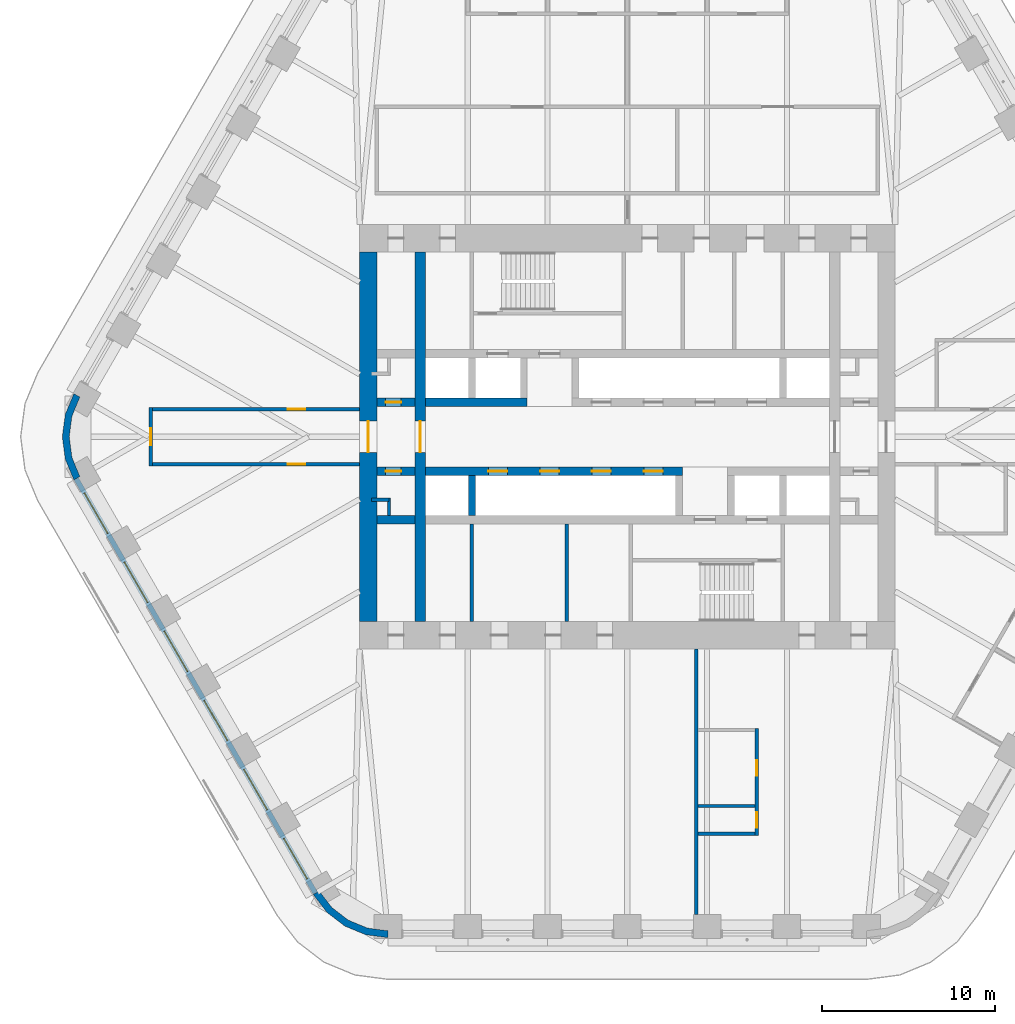
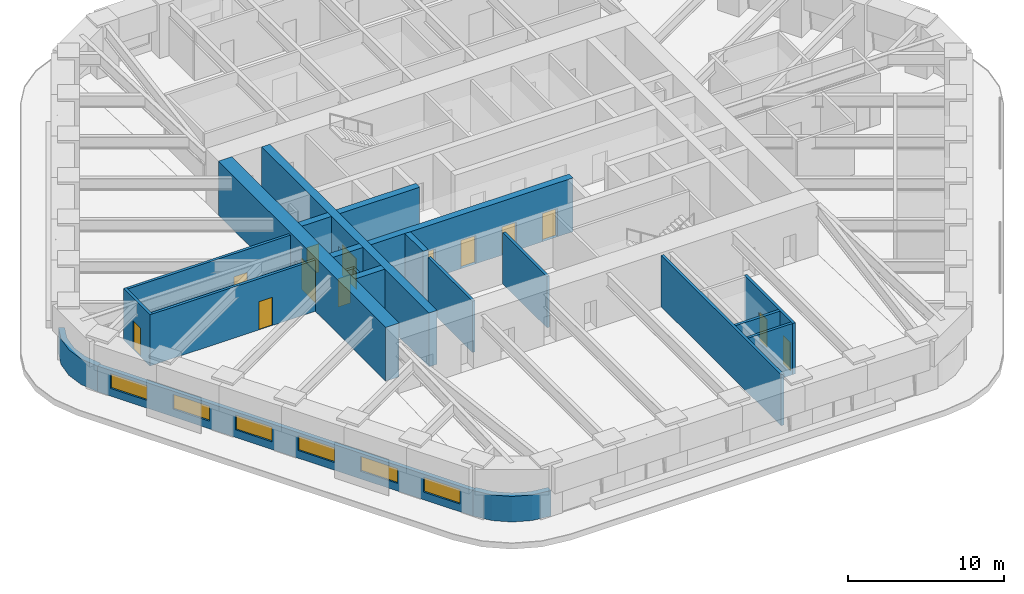
# One storey, part 14 of 20: 22 walls, 13 doors, 6 windows, 19 openings.
"""IFC4 building model written with IfcOpenShell, lengths in metres."""

from ifc_helpers import new_model, si_unit, direction, frame, frame_2d, origin, place, context, subcontext, project, spatial, polyline, rectangle, outline, extrude, material, layer, layer_set, type_object, element, fill, save


model = new_model("IFC4")

# Units and contexts
model_context = context("Model", 3, precision=1e-05, world=origin(), true_north=direction((0.0, 1.0)))
body_context = subcontext(model_context, "Body", "Model", "MODEL_VIEW")
ifc_project = project(units=[si_unit("LENGTHUNIT", "METRE"), si_unit("AREAUNIT", "SQUARE_METRE"), si_unit("VOLUMEUNIT", "CUBIC_METRE"), si_unit("PLANEANGLEUNIT", "RADIAN"), si_unit("MASSUNIT", "GRAM", prefix="KILO")], contexts=[model_context])

# Site, building, storey
site_placement = place(None, origin())
site = spatial("IfcSite", under=ifc_project, at=site_placement, CompositionType="ELEMENT")
building_placement = place(site_placement, origin())
building = spatial("IfcBuilding", under=site, at=building_placement, Name="Tarfa Lantern Tower", CompositionType="ELEMENT")
storey_placement = place(building_placement, frame((0.0, 0.0, 219.699951171875)))
storey = spatial("IfcBuildingStorey", under=building, at=storey_placement, Name="L49", CompositionType="ELEMENT", Elevation=219.699951171875)

# Wall, openings, windows
ifc_material_1 = material(Name="Limestone cladding on blockwork", Category="masonry")
ifc_layer_1 = layer(ifc_material_1, 0.300048828125)
ifc_layer_set_1 = layer_set([ifc_layer_1], Name="EW1 STONE-CLAD WALL 300")
wall_type_1 = type_object("IfcWallType", Name="EW1 STONE-CLAD WALL 300", PredefinedType="SOLIDWALL", material=ifc_layer_set_1)
wall_1_placement = place(storey_placement, frame((-31.9130859375, -2.425048828125, 0.0), z_axis=(0.0, 0.0, 1.0), x_axis=(0.500001051461, -0.866024796723, 0.0)))
wall_1 = element("IfcWall", 1, at=wall_1_placement, inside=storey, type_object=wall_type_1, Name="Stone wall SW", PredefinedType="SOLIDWALL", context=body_context, shape_type="SweptSolid", body=[
    extrude(rectangle(XDim=27.712890625, YDim=0.300048828125, at=frame_2d((13.8564453125, 0.0))), origin(), (0.0, 0.0, 1.0), 2.0),
])
opening_1_placement = place(wall_1_placement, frame((0.95947265625, 0.0, 0.60009765625)))
opening_1 = element("IfcOpeningElement", 2, at=opening_1_placement, cuts=wall_1, Name="Opening W13", PredefinedType="OPENING", context=body_context, shape_type="SweptSolid", body=[
    extrude(rectangle(XDim=2.699951171875, YDim=1.14990234375, at=frame_2d((1.35009765625, 0.574951171875))), frame((0.0, 0.159912109375, 0.0), z_axis=(0.0, -1.0, 0.0), x_axis=(1.0, 0.0, 0.0)), (0.0, 0.0, 1.0), 0.320068359375),
])
opening_2_placement = place(wall_1_placement, frame((5.578125, 0.0, 0.60009765625)))
opening_2 = element("IfcOpeningElement", 3, at=opening_2_placement, cuts=wall_1, Name="Opening W13", PredefinedType="OPENING", context=body_context, shape_type="SweptSolid", body=[
    extrude(rectangle(XDim=2.699951171875, YDim=1.14990234375, at=frame_2d((1.35009765625, 0.574951171875))), frame((0.0, 0.159912109375, 0.0), z_axis=(0.0, -1.0, 0.0), x_axis=(1.0, 0.0, 0.0)), (0.0, 0.0, 1.0), 0.320068359375),
])
opening_3_placement = place(wall_1_placement, frame((10.197021484375, 0.0, 0.60009765625)))
opening_3 = element("IfcOpeningElement", 4, at=opening_3_placement, cuts=wall_1, Name="Opening W13", PredefinedType="OPENING", context=body_context, shape_type="SweptSolid", body=[
    extrude(rectangle(XDim=2.699951171875, YDim=1.14990234375, at=frame_2d((1.35009765625, 0.574951171875))), frame((0.0, 0.159912109375, 0.0), z_axis=(0.0, -1.0, 0.0), x_axis=(1.0, 0.0, 0.0)), (0.0, 0.0, 1.0), 0.320068359375),
])
opening_4_placement = place(wall_1_placement, frame((14.81591796875, 0.0, 0.60009765625)))
opening_4 = element("IfcOpeningElement", 5, at=opening_4_placement, cuts=wall_1, Name="Opening W13", PredefinedType="OPENING", context=body_context, shape_type="SweptSolid", body=[
    extrude(rectangle(XDim=2.699951171875, YDim=1.14990234375, at=frame_2d((1.35009765625, 0.574951171875))), frame((0.0, 0.159912109375, 0.0), z_axis=(0.0, -1.0, 0.0), x_axis=(1.0, 0.0, 0.0)), (0.0, 0.0, 1.0), 0.320068359375),
])
opening_5_placement = place(wall_1_placement, frame((19.4345703125, 0.0, 0.60009765625)))
opening_5 = element("IfcOpeningElement", 6, at=opening_5_placement, cuts=wall_1, Name="Opening W13", PredefinedType="OPENING", context=body_context, shape_type="SweptSolid", body=[
    extrude(rectangle(XDim=2.699951171875, YDim=1.14990234375, at=frame_2d((1.35009765625, 0.574951171875))), frame((0.0, 0.159912109375, 0.0), z_axis=(0.0, -1.0, 0.0), x_axis=(1.0, 0.0, 0.0)), (0.0, 0.0, 1.0), 0.320068359375),
])
opening_6_placement = place(wall_1_placement, frame((24.053466796875, 0.0, 0.60009765625)))
opening_6 = element("IfcOpeningElement", 7, at=opening_6_placement, cuts=wall_1, Name="Opening W13", PredefinedType="OPENING", context=body_context, shape_type="SweptSolid", body=[
    extrude(rectangle(XDim=2.699951171875, YDim=1.14990234375, at=frame_2d((1.35009765625, 0.574951171875))), frame((0.0, 0.159912109375, 0.0), z_axis=(0.0, -1.0, 0.0), x_axis=(1.0, 0.0, 0.0)), (0.0, 0.0, 1.0), 0.320068359375),
])
ifc_material_2 = material(Name="Aluminium frame, double glazed", Category="aluminium")
window_type = type_object("IfcWindowType", Name="W13 FULL-HEIGHT GLAZING 2700x1150", PartitioningType="SINGLE_PANEL", PredefinedType="WINDOW", material=ifc_material_2)
window_1_placement = place(opening_1_placement, origin())
window_1 = element("IfcWindow", 8, at=window_1_placement, inside=storey, type_object=window_type, Name="Window SW 1", OverallHeight=1.14990234375, OverallWidth=2.699951171875, PartitioningType="SINGLE_PANEL", PredefinedType="WINDOW", context=body_context, shape_type="SweptSolid", body=[
    extrude(rectangle(XDim=2.699951171875, YDim=1.14990234375, at=frame_2d((1.35009765625, 0.574951171875))), frame((0.0, 0.030029296875, 0.0), z_axis=(0.0, -1.0, 0.0), x_axis=(1.0, 0.0, 0.0)), (0.0, 0.0, 1.0), 0.06005859375),
])
fill(opening_1, window_1)
window_2_placement = place(opening_2_placement, origin())
window_2 = element("IfcWindow", 9, at=window_2_placement, inside=storey, type_object=window_type, Name="Window SW 2", OverallHeight=1.14990234375, OverallWidth=2.699951171875, PartitioningType="SINGLE_PANEL", PredefinedType="WINDOW", context=body_context, shape_type="SweptSolid", body=[
    extrude(rectangle(XDim=2.699951171875, YDim=1.14990234375, at=frame_2d((1.35009765625, 0.574951171875))), frame((0.0, 0.030029296875, 0.0), z_axis=(0.0, -1.0, 0.0), x_axis=(1.0, 0.0, 0.0)), (0.0, 0.0, 1.0), 0.06005859375),
])
fill(opening_2, window_2)
window_3_placement = place(opening_3_placement, origin())
window_3 = element("IfcWindow", 10, at=window_3_placement, inside=storey, type_object=window_type, Name="Window SW 3", OverallHeight=1.14990234375, OverallWidth=2.699951171875, PartitioningType="SINGLE_PANEL", PredefinedType="WINDOW", context=body_context, shape_type="SweptSolid", body=[
    extrude(rectangle(XDim=2.699951171875, YDim=1.14990234375, at=frame_2d((1.35009765625, 0.574951171875))), frame((0.0, 0.030029296875, 0.0), z_axis=(0.0, -1.0, 0.0), x_axis=(1.0, 0.0, 0.0)), (0.0, 0.0, 1.0), 0.06005859375),
])
fill(opening_3, window_3)
window_4_placement = place(opening_4_placement, origin())
window_4 = element("IfcWindow", 11, at=window_4_placement, inside=storey, type_object=window_type, Name="Window SW 4", OverallHeight=1.14990234375, OverallWidth=2.699951171875, PartitioningType="SINGLE_PANEL", PredefinedType="WINDOW", context=body_context, shape_type="SweptSolid", body=[
    extrude(rectangle(XDim=2.699951171875, YDim=1.14990234375, at=frame_2d((1.35009765625, 0.574951171875))), frame((0.0, 0.030029296875, 0.0), z_axis=(0.0, -1.0, 0.0), x_axis=(1.0, 0.0, 0.0)), (0.0, 0.0, 1.0), 0.06005859375),
])
fill(opening_4, window_4)
window_5_placement = place(opening_5_placement, origin())
window_5 = element("IfcWindow", 12, at=window_5_placement, inside=storey, type_object=window_type, Name="Window SW 5", OverallHeight=1.14990234375, OverallWidth=2.699951171875, PartitioningType="SINGLE_PANEL", PredefinedType="WINDOW", context=body_context, shape_type="SweptSolid", body=[
    extrude(rectangle(XDim=2.699951171875, YDim=1.14990234375, at=frame_2d((1.35009765625, 0.574951171875))), frame((0.0, 0.030029296875, 0.0), z_axis=(0.0, -1.0, 0.0), x_axis=(1.0, 0.0, 0.0)), (0.0, 0.0, 1.0), 0.06005859375),
])
fill(opening_5, window_5)
window_6_placement = place(opening_6_placement, origin())
window_6 = element("IfcWindow", 13, at=window_6_placement, inside=storey, type_object=window_type, Name="Window SW 6", OverallHeight=1.14990234375, OverallWidth=2.699951171875, PartitioningType="SINGLE_PANEL", PredefinedType="WINDOW", context=body_context, shape_type="SweptSolid", body=[
    extrude(rectangle(XDim=2.699951171875, YDim=1.14990234375, at=frame_2d((1.35009765625, 0.574951171875))), frame((0.0, 0.030029296875, 0.0), z_axis=(0.0, -1.0, 0.0), x_axis=(1.0, 0.0, 0.0)), (0.0, 0.0, 1.0), 0.06005859375),
])
fill(opening_6, window_6)

# Walls
ifc_layer_2 = layer(ifc_material_1, 0.39990234375)
ifc_layer_set_2 = layer_set([ifc_layer_2], Name="EW2 CURVED STONE CORNER 400")
wall_type_2 = type_object("IfcWallType", Name="EW2 CURVED STONE CORNER 400", PredefinedType="SOLIDWALL", material=ifc_layer_set_2)
wall_2_placement = place(storey_placement, origin())
element("IfcWall", 14, at=wall_2_placement, inside=storey, type_object=wall_type_2, Name="Stone corner NW-SW", PredefinedType="SOLIDWALL", context=body_context, shape_type="SweptSolid", body=[
    extrude(outline(polyline([(-32.04296875, 2.5), (-32.54248046875, 1.294189453125), (-32.712890625, 0.0), (-32.54248046875, -1.294189453125), (-32.04296875, -2.5), (-31.696533203125, -2.300048828125), (-32.156005859375, -1.190673828125), (-32.312744140625, 0.0), (-32.156005859375, 1.190673828125), (-31.696533203125, 2.300048828125), (-32.04296875, 2.5)])), origin(), (0.0, 0.0, 1.0), 2.0),
])
wall_3_placement = place(storey_placement, origin())
element("IfcWall", 15, at=wall_3_placement, inside=storey, type_object=wall_type_2, Name="Stone corner SW-S", PredefinedType="SOLIDWALL", context=body_context, shape_type="SweptSolid", body=[
    extrude(outline(polyline([(-18.1865234375, -26.5), (-17.391845703125, -27.53564453125), (-16.3564453125, -28.330078125), (-15.150390625, -28.82958984375), (-13.8564453125, -29.0), (-13.8564453125, -28.60009765625), (-15.046875, -28.443359375), (-16.156494140625, -27.983642578125), (-17.109130859375, -27.252685546875), (-17.840087890625, -26.300048828125), (-18.1865234375, -26.5)])), origin(), (0.0, 0.0, 1.0), 2.0),
])
ifc_material_3 = material(Name="Concrete blockwork", Category="masonry")
ifc_layer_3 = layer(ifc_material_3, 0.199951171875)
ifc_layer_set_3 = layer_set([ifc_layer_3], Name="IW1 BLOCKWORK PARTITION 200 EI 120")
wall_type_3 = type_object("IfcWallType", Name="IW1 BLOCKWORK PARTITION 200 EI 120", PredefinedType="PARTITIONING", material=ifc_layer_set_3)
for number, where, z_axis, x_axis, name in (
    (16, (-9.0, -5.050048828125, 0.0), (0.0, 0.0, 1.0), (0.0, -1.0, 0.0), "Core partition"),
    (17, (-3.5, -5.050048828125, 0.0), (0.0, 0.0, 1.0), (0.0, -1.0, 0.0), "Core partition"),
):
    element("IfcWall", number, at=place(storey_placement, frame(where, z_axis=z_axis, x_axis=x_axis)), inside=storey, type_object=wall_type_3, Name=name, PredefinedType="PARTITIONING", context=body_context, shape_type="SweptSolid", body=[
        extrude(rectangle(XDim=5.64990234375, YDim=0.199951171875, at=frame_2d((2.824951171875, 0.0))), origin(), (0.0, 0.0, 1.0), 4.0),
    ])
for number, where, z_axis, x_axis, name in (
    (18, (-13.800048828125, -3.64990234375, 0.0), (0.0, 0.0, 1.0), (-1.0, 0.0, 0.0), "Core partition"),
    (19, (-13.800048828125, -3.550048828125, 0.0), (0.0, 0.0, 1.0), (0.0, -1.0, 0.0), "Core partition"),
):
    element("IfcWall", number, at=place(storey_placement, frame(where, z_axis=z_axis, x_axis=x_axis)), inside=storey, type_object=wall_type_3, Name=name, PredefinedType="PARTITIONING", context=body_context, shape_type="SweptSolid", body=[
        extrude(rectangle(XDim=1.0, YDim=0.199951171875, at=frame_2d((0.5, 0.0))), origin(), (0.0, 0.0, 1.0), 4.0),
    ])

# Wall, opening, door
ifc_material_4 = material(Name="Gypsum board on steel studs", Category="steel")
ifc_layer_4 = layer(ifc_material_4, 0.2099609375)
ifc_layer_set_4 = layer_set([ifc_layer_4], Name="IW2 ACOUSTIC PARTITION 200")
wall_type_4 = type_object("IfcWallType", Name="IW2 ACOUSTIC PARTITION 200", PredefinedType="PARTITIONING", material=ifc_layer_set_4)
wall_4_placement = place(storey_placement, frame((-15.5, 1.60009765625, 0.0), z_axis=(0.0, 0.0, 1.0), x_axis=(-1.0, 0.0, 0.0)))
wall_4 = element("IfcWall", 20, at=wall_4_placement, inside=storey, type_object=wall_type_4, Name="Partition", PredefinedType="PARTITIONING", context=body_context, shape_type="SweptSolid", body=[
    extrude(rectangle(XDim=12.199951171875, YDim=0.199951171875, at=frame_2d((6.10009765625, 0.0))), origin(), (0.0, 0.0, 1.0), 4.0),
])
opening_7_placement = place(wall_4_placement, frame((3.159912109375, 0.0, 0.0)))
opening_7 = element("IfcOpeningElement", 21, at=opening_7_placement, cuts=wall_4, Name="Opening D44", PredefinedType="OPENING", context=body_context, shape_type="SweptSolid", body=[
    extrude(rectangle(XDim=1.0, YDim=2.199951171875, at=frame_2d((0.5, 1.10009765625))), frame((0.0, 0.10986328125, 0.0), z_axis=(0.0, -1.0, 0.0), x_axis=(1.0, 0.0, 0.0)), (0.0, 0.0, 1.0), 0.219970703125),
])
ifc_material_5 = material(Name="Timber door", Category="wood")
door_type_1 = type_object("IfcDoorType", Name="DR1 ROOM DOOR 1000x2200", OperationType="SINGLE_SWING_LEFT", PredefinedType="DOOR", material=ifc_material_5)
door_1_placement = place(opening_7_placement, frame((1.0, 0.0, 0.0), z_axis=(0.0, 0.0, 1.0), x_axis=(-1.0, 0.0, 0.0)))
door_1 = element("IfcDoor", 22, at=door_1_placement, inside=storey, type_object=door_type_1, Name="Corridor door", OperationType="SINGLE_SWING_LEFT", OverallHeight=2.199951171875, OverallWidth=1.0, PredefinedType="DOOR", context=body_context, shape_type="SweptSolid", body=[
    extrude(rectangle(XDim=1.0, YDim=2.199951171875, at=frame_2d((0.5, 1.10009765625))), frame((0.0, 0.02490234375, 0.0), z_axis=(0.0, -1.0, 0.0), x_axis=(1.0, 0.0, 0.0)), (0.0, 0.0, 1.0), 0.050048828125),
])
fill(opening_7, door_1)

wall_5_placement = place(storey_placement, frame((-15.5, -1.60009765625, 0.0), z_axis=(0.0, 0.0, 1.0), x_axis=(-1.0, 0.0, 0.0)))
wall_5 = element("IfcWall", 23, at=wall_5_placement, inside=storey, type_object=wall_type_4, Name="Partition", PredefinedType="PARTITIONING", context=body_context, shape_type="SweptSolid", body=[
    extrude(rectangle(XDim=12.199951171875, YDim=0.199951171875, at=frame_2d((6.10009765625, 0.0))), origin(), (0.0, 0.0, 1.0), 4.0),
])
opening_8_placement = place(wall_5_placement, frame((3.159912109375, 0.0, 0.0)))
opening_8 = element("IfcOpeningElement", 24, at=opening_8_placement, cuts=wall_5, Name="Opening D45", PredefinedType="OPENING", context=body_context, shape_type="SweptSolid", body=[
    extrude(rectangle(XDim=1.0, YDim=2.199951171875, at=frame_2d((0.5, 1.10009765625))), frame((0.0, 0.10986328125, 0.0), z_axis=(0.0, -1.0, 0.0), x_axis=(1.0, 0.0, 0.0)), (0.0, 0.0, 1.0), 0.219970703125),
])
door_2_placement = place(opening_8_placement, origin())
door_2 = element("IfcDoor", 25, at=door_2_placement, inside=storey, type_object=door_type_1, Name="Corridor door", OperationType="SINGLE_SWING_RIGHT", OverallHeight=2.199951171875, OverallWidth=1.0, PredefinedType="DOOR", context=body_context, shape_type="SweptSolid", body=[
    extrude(rectangle(XDim=1.0, YDim=2.199951171875, at=frame_2d((0.5, 1.10009765625))), frame((0.0, 0.02490234375, 0.0), z_axis=(0.0, -1.0, 0.0), x_axis=(1.0, 0.0, 0.0)), (0.0, 0.0, 1.0), 0.050048828125),
])
fill(opening_8, door_2)

wall_6_placement = place(storey_placement, frame((-27.60009765625, -1.699951171875, 0.0), z_axis=(0.0, 0.0, 1.0), x_axis=(0.0, 1.0, 0.0)))
wall_6 = element("IfcWall", 26, at=wall_6_placement, inside=storey, type_object=wall_type_4, Name="Partition", PredefinedType="PARTITIONING", context=body_context, shape_type="SweptSolid", body=[
    extrude(rectangle(XDim=3.39990234375, YDim=0.199951171875, at=frame_2d((1.699951171875, 0.0))), origin(), (0.0, 0.0, 1.0), 4.0),
])
opening_9_placement = place(wall_6_placement, frame((1.199951171875, 0.0, 0.0)))
opening_9 = element("IfcOpeningElement", 27, at=opening_9_placement, cuts=wall_6, Name="Opening D43", PredefinedType="OPENING", context=body_context, shape_type="SweptSolid", body=[
    extrude(rectangle(XDim=1.0, YDim=2.199951171875, at=frame_2d((0.5, 1.10009765625))), frame((0.0, 0.10986328125, 0.0), z_axis=(0.0, -1.0, 0.0), x_axis=(1.0, 0.0, 0.0)), (0.0, 0.0, 1.0), 0.219970703125),
])
door_3_placement = place(opening_9_placement, origin())
door_3 = element("IfcDoor", 28, at=door_3_placement, inside=storey, type_object=door_type_1, Name="Corridor door", OperationType="SINGLE_SWING_RIGHT", OverallHeight=2.199951171875, OverallWidth=1.0, PredefinedType="DOOR", context=body_context, shape_type="SweptSolid", body=[
    extrude(rectangle(XDim=1.0, YDim=2.199951171875, at=frame_2d((0.5, 1.10009765625))), frame((0.0, 0.02490234375, 0.0), z_axis=(0.0, -1.0, 0.0), x_axis=(1.0, 0.0, 0.0)), (0.0, 0.0, 1.0), 0.050048828125),
])
fill(opening_9, door_3)

# Wall
wall_7_placement = place(storey_placement, frame((4.0, -12.300048828125, 0.0), z_axis=(0.0, 0.0, 1.0), x_axis=(0.0, -1.0, 0.0)))
element("IfcWall", 29, at=wall_7_placement, inside=storey, type_object=wall_type_4, Name="Partition", PredefinedType="PARTITIONING", context=body_context, shape_type="SweptSolid", body=[
    extrude(rectangle(XDim=15.349853515625, YDim=0.199951171875, at=frame_2d((7.6748046875, 0.0))), origin(), (0.0, 0.0, 1.0), 4.0),
])

# Wall, openings, doors
wall_8_placement = place(storey_placement, frame((7.5, -16.875, 0.0), z_axis=(0.0, 0.0, 1.0), x_axis=(0.0, -1.0, 0.0)))
wall_8 = element("IfcWall", 30, at=wall_8_placement, inside=storey, type_object=wall_type_4, Name="Partition", PredefinedType="PARTITIONING", context=body_context, shape_type="SweptSolid", body=[
    extrude(rectangle(XDim=6.199951171875, YDim=0.199951171875, at=frame_2d((3.10009765625, 0.0))), origin(), (0.0, 0.0, 1.0), 4.0),
])
opening_10_placement = place(wall_8_placement, frame((1.85009765625, 0.0, 0.0)))
opening_10 = element("IfcOpeningElement", 31, at=opening_10_placement, cuts=wall_8, Name="Opening D38", PredefinedType="OPENING", context=body_context, shape_type="SweptSolid", body=[
    extrude(rectangle(XDim=0.89990234375, YDim=2.199951171875, at=frame_2d((0.449951171875, 1.10009765625))), frame((0.0, 0.10986328125, 0.0), z_axis=(0.0, -1.0, 0.0), x_axis=(1.0, 0.0, 0.0)), (0.0, 0.0, 1.0), 0.219970703125),
])
opening_11_placement = place(wall_8_placement, frame((4.85009765625, 0.0, 0.0)))
opening_11 = element("IfcOpeningElement", 32, at=opening_11_placement, cuts=wall_8, Name="Opening D39", PredefinedType="OPENING", context=body_context, shape_type="SweptSolid", body=[
    extrude(rectangle(XDim=0.89990234375, YDim=2.199951171875, at=frame_2d((0.449951171875, 1.10009765625))), frame((0.0, 0.10986328125, 0.0), z_axis=(0.0, -1.0, 0.0), x_axis=(1.0, 0.0, 0.0)), (0.0, 0.0, 1.0), 0.219970703125),
])
door_type_2 = type_object("IfcDoorType", Name="DR3 ROOM DOOR 900x2200", OperationType="SINGLE_SWING_LEFT", PredefinedType="DOOR", material=ifc_material_5)
door_4_placement = place(opening_10_placement, frame((0.89990234375, 0.0, 0.0), z_axis=(0.0, 0.0, 1.0), x_axis=(-1.0, 0.0, 0.0)))
door_4 = element("IfcDoor", 33, at=door_4_placement, inside=storey, type_object=door_type_2, Name="Meeting room door", OperationType="SINGLE_SWING_LEFT", OverallHeight=2.199951171875, OverallWidth=0.89990234375, PredefinedType="DOOR", context=body_context, shape_type="SweptSolid", body=[
    extrude(rectangle(XDim=0.89990234375, YDim=2.199951171875, at=frame_2d((0.449951171875, 1.10009765625))), frame((0.0, 0.02490234375, 0.0), z_axis=(0.0, -1.0, 0.0), x_axis=(1.0, 0.0, 0.0)), (0.0, 0.0, 1.0), 0.050048828125),
])
fill(opening_10, door_4)
door_5_placement = place(opening_11_placement, frame((0.89990234375, 0.0, 0.0), z_axis=(0.0, 0.0, 1.0), x_axis=(-1.0, 0.0, 0.0)))
door_5 = element("IfcDoor", 34, at=door_5_placement, inside=storey, type_object=door_type_2, Name="Phone booth door", OperationType="SINGLE_SWING_RIGHT", OverallHeight=2.199951171875, OverallWidth=0.89990234375, PredefinedType="DOOR", context=body_context, shape_type="SweptSolid", body=[
    extrude(rectangle(XDim=0.89990234375, YDim=2.199951171875, at=frame_2d((0.449951171875, 1.10009765625))), frame((0.0, 0.02490234375, 0.0), z_axis=(0.0, -1.0, 0.0), x_axis=(1.0, 0.0, 0.0)), (0.0, 0.0, 1.0), 0.050048828125),
])
fill(opening_11, door_5)

# Walls
for number, where, z_axis, x_axis, name in (
    (35, (4.10009765625, -21.375, 0.0), (0.0, 0.0, 1.0), (1.0, 0.0, 0.0), "Partition"),
    (36, (4.10009765625, -22.97509765625, 0.0), (0.0, 0.0, 1.0), (1.0, 0.0, 0.0), "Partition"),
):
    element("IfcWall", number, at=place(storey_placement, frame(where, z_axis=z_axis, x_axis=x_axis)), inside=storey, type_object=wall_type_4, Name=name, PredefinedType="PARTITIONING", context=body_context, shape_type="SweptSolid", body=[
        extrude(rectangle(XDim=3.2998046875, YDim=0.199951171875, at=frame_2d((1.64990234375, 0.0))), origin(), (0.0, 0.0, 1.0), 4.0),
    ])

# Wall, opening, door
ifc_material_6 = material(Name="Concrete C80/95", Category="concrete")
ifc_layer_5 = layer(ifc_material_6, 1.0)
ifc_layer_set_5 = layer_set([ifc_layer_5], Name="SW2 CORE WALL 1000")
wall_type_5 = type_object("IfcWallType", Name="SW2 CORE WALL 1000", PredefinedType="SHEAR", material=ifc_layer_set_5)
wall_9_placement = place(storey_placement, frame((-15.0, 10.699951171875, 0.0), z_axis=(0.0, 0.0, 1.0), x_axis=(0.0, -1.0, 0.0)))
wall_9 = element("IfcWall", 37, at=wall_9_placement, inside=storey, type_object=wall_type_5, Name="Core wall W", PredefinedType="SHEAR", context=body_context, shape_type="SweptSolid", body=[
    extrude(rectangle(XDim=21.39990234375, YDim=1.0, at=frame_2d((10.699951171875, 0.0))), origin(), (0.0, 0.0, 1.0), 4.199951171875),
])
opening_12_placement = place(wall_9_placement, frame((9.800048828125, 0.0, 0.0)))
opening_12 = element("IfcOpeningElement", 38, at=opening_12_placement, cuts=wall_9, Name="Opening D12", PredefinedType="OPENING", context=body_context, shape_type="SweptSolid", body=[
    extrude(rectangle(XDim=1.800048828125, YDim=2.39990234375, at=frame_2d((0.89990234375, 1.199951171875))), frame((0.0, 0.510009765625, 0.0), z_axis=(0.0, -1.0, 0.0), x_axis=(1.0, 0.0, 0.0)), (0.0, 0.0, 1.0), 1.02001953125),
])
ifc_material_7 = material(Name="Steel fire door", Category="steel")
door_type_3 = type_object("IfcDoorType", Name="DL1 LOBBY DOOR 1800x2400", OperationType="DOUBLE_DOOR_SINGLE_SWING", PredefinedType="DOOR", material=ifc_material_7)
door_6_placement = place(opening_12_placement, frame((1.800048828125, 0.0, 0.0), z_axis=(0.0, 0.0, 1.0), x_axis=(-1.0, 0.0, 0.0)))
door_6 = element("IfcDoor", 39, at=door_6_placement, inside=storey, type_object=door_type_3, Name="Lift lobby door", OperationType="DOUBLE_DOOR_SINGLE_SWING", OverallHeight=2.39990234375, OverallWidth=1.800048828125, PredefinedType="DOOR", context=body_context, shape_type="SweptSolid", body=[
    extrude(rectangle(XDim=1.800048828125, YDim=2.39990234375, at=frame_2d((0.89990234375, 1.199951171875))), frame((0.0, 0.02490234375, 0.0), z_axis=(0.0, -1.0, 0.0), x_axis=(1.0, 0.0, 0.0)), (0.0, 0.0, 1.0), 0.050048828125),
])
fill(opening_12, door_6)

ifc_layer_6 = layer(ifc_material_6, 0.5)
ifc_layer_set_6 = layer_set([ifc_layer_6], Name="SW5 CORE WALL 500")
wall_type_6 = type_object("IfcWallType", Name="SW5 CORE WALL 500", PredefinedType="SHEAR", material=ifc_layer_set_6)
wall_10_placement = place(storey_placement, frame((-14.5, 2.0, 0.0), z_axis=(0.0, 0.0, 1.0), x_axis=(1.0, 0.0, 0.0)))
wall_10 = element("IfcWall", 40, at=wall_10_placement, inside=storey, type_object=wall_type_6, Name="Core wall lobby west N", PredefinedType="SHEAR", context=body_context, shape_type="SweptSolid", body=[
    extrude(rectangle(XDim=2.199951171875, YDim=0.5, at=frame_2d((1.10009765625, 0.0))), origin(), (0.0, 0.0, 1.0), 4.199951171875),
])
opening_13_placement = place(wall_10_placement, frame((0.5, 0.0, 0.0)))
opening_13 = element("IfcOpeningElement", 41, at=opening_13_placement, cuts=wall_10, Name="Opening D15", PredefinedType="OPENING", context=body_context, shape_type="SweptSolid", body=[
    extrude(rectangle(XDim=0.89990234375, YDim=2.199951171875, at=frame_2d((0.449951171875, 1.10009765625))), frame((0.0, 0.260009765625, 0.0), z_axis=(0.0, -1.0, 0.0), x_axis=(1.0, 0.0, 0.0)), (0.0, 0.0, 1.0), 0.52001953125),
])
door_type_4 = type_object("IfcDoorType", Name="DF6 SERVICE ROOM DOOR 900x2200", OperationType="SINGLE_SWING_LEFT", PredefinedType="DOOR", material=ifc_material_7)
door_7_placement = place(opening_13_placement, origin())
door_7 = element("IfcDoor", 42, at=door_7_placement, inside=storey, type_object=door_type_4, Name="Service room door", OperationType="SINGLE_SWING_RIGHT", OverallHeight=2.199951171875, OverallWidth=0.89990234375, PredefinedType="DOOR", context=body_context, shape_type="SweptSolid", body=[
    extrude(rectangle(XDim=0.89990234375, YDim=2.199951171875, at=frame_2d((0.449951171875, 1.10009765625))), frame((0.0, 0.02490234375, 0.0), z_axis=(0.0, -1.0, 0.0), x_axis=(1.0, 0.0, 0.0)), (0.0, 0.0, 1.0), 0.050048828125),
])
fill(opening_13, door_7)

# Wall
wall_11_placement = place(storey_placement, frame((-11.699951171875, 2.0, 0.0), z_axis=(0.0, 0.0, 1.0), x_axis=(1.0, 0.0, 0.0)))
element("IfcWall", 43, at=wall_11_placement, inside=storey, type_object=wall_type_6, Name="Core wall lobby west N", PredefinedType="SHEAR", context=body_context, shape_type="SweptSolid", body=[
    extrude(rectangle(XDim=5.89990234375, YDim=0.5, at=frame_2d((2.949951171875, 0.0))), origin(), (0.0, 0.0, 1.0), 4.199951171875),
])

# Wall, openings, doors
wall_12_placement = place(storey_placement, frame((3.199951171875, -2.0, 0.0), z_axis=(0.0, 0.0, 1.0), x_axis=(-1.0, 0.0, 0.0)))
wall_12 = element("IfcWall", 44, at=wall_12_placement, inside=storey, type_object=wall_type_6, Name="Core wall lobby east S", PredefinedType="SHEAR", context=body_context, shape_type="SweptSolid", body=[
    extrude(rectangle(XDim=14.89990234375, YDim=0.5, at=frame_2d((7.449951171875, 0.0))), origin(), (0.0, 0.0, 1.0), 4.199951171875),
])
opening_14_placement = place(wall_12_placement, frame((1.14990234375, 0.0, 0.0)))
opening_14 = element("IfcOpeningElement", 45, at=opening_14_placement, cuts=wall_12, Name="Opening LD07", PredefinedType="OPENING", context=body_context, shape_type="SweptSolid", body=[
    extrude(rectangle(XDim=1.10009765625, YDim=2.199951171875, at=frame_2d((0.550048828125, 1.10009765625))), frame((0.0, 0.260009765625, 0.0), z_axis=(0.0, -1.0, 0.0), x_axis=(1.0, 0.0, 0.0)), (0.0, 0.0, 1.0), 0.52001953125),
])
opening_15_placement = place(wall_12_placement, frame((4.14990234375, 0.0, 0.0)))
opening_15 = element("IfcOpeningElement", 46, at=opening_15_placement, cuts=wall_12, Name="Opening LD08", PredefinedType="OPENING", context=body_context, shape_type="SweptSolid", body=[
    extrude(rectangle(XDim=1.10009765625, YDim=2.199951171875, at=frame_2d((0.550048828125, 1.10009765625))), frame((0.0, 0.260009765625, 0.0), z_axis=(0.0, -1.0, 0.0), x_axis=(1.0, 0.0, 0.0)), (0.0, 0.0, 1.0), 0.52001953125),
])
opening_16_placement = place(wall_12_placement, frame((7.14990234375, 0.0, 0.0)))
opening_16 = element("IfcOpeningElement", 47, at=opening_16_placement, cuts=wall_12, Name="Opening LD09", PredefinedType="OPENING", context=body_context, shape_type="SweptSolid", body=[
    extrude(rectangle(XDim=1.10009765625, YDim=2.199951171875, at=frame_2d((0.550048828125, 1.10009765625))), frame((0.0, 0.260009765625, 0.0), z_axis=(0.0, -1.0, 0.0), x_axis=(1.0, 0.0, 0.0)), (0.0, 0.0, 1.0), 0.52001953125),
])
opening_17_placement = place(wall_12_placement, frame((10.14990234375, 0.0, 0.0)))
opening_17 = element("IfcOpeningElement", 48, at=opening_17_placement, cuts=wall_12, Name="Opening LD10", PredefinedType="OPENING", context=body_context, shape_type="SweptSolid", body=[
    extrude(rectangle(XDim=1.10009765625, YDim=2.199951171875, at=frame_2d((0.550048828125, 1.10009765625))), frame((0.0, 0.260009765625, 0.0), z_axis=(0.0, -1.0, 0.0), x_axis=(1.0, 0.0, 0.0)), (0.0, 0.0, 1.0), 0.52001953125),
])
ifc_material_8 = material(Name="Stainless steel lift door", Category="steel")
door_type_5 = type_object("IfcDoorType", Name="LD2 LIFT LANDING DOOR 1100x2200", OperationType="SLIDING_TO_LEFT", PredefinedType="DOOR", material=ifc_material_8)
door_8_placement = place(opening_14_placement, frame((1.10009765625, 0.0, 0.0), z_axis=(0.0, 0.0, 1.0), x_axis=(-1.0, 0.0, 0.0)))
door_8 = element("IfcDoor", 49, at=door_8_placement, inside=storey, type_object=door_type_5, Name="Landing door PC5", OperationType="SLIDING_TO_LEFT", OverallHeight=2.199951171875, OverallWidth=1.10009765625, PredefinedType="DOOR", context=body_context, shape_type="SweptSolid", body=[
    extrude(rectangle(XDim=1.10009765625, YDim=2.199951171875, at=frame_2d((0.550048828125, 1.10009765625))), frame((0.0, 0.02490234375, 0.0), z_axis=(0.0, -1.0, 0.0), x_axis=(1.0, 0.0, 0.0)), (0.0, 0.0, 1.0), 0.050048828125),
])
fill(opening_14, door_8)
door_9_placement = place(opening_15_placement, frame((1.10009765625, 0.0, 0.0), z_axis=(0.0, 0.0, 1.0), x_axis=(-1.0, 0.0, 0.0)))
door_9 = element("IfcDoor", 50, at=door_9_placement, inside=storey, type_object=door_type_5, Name="Landing door PC6", OperationType="SLIDING_TO_LEFT", OverallHeight=2.199951171875, OverallWidth=1.10009765625, PredefinedType="DOOR", context=body_context, shape_type="SweptSolid", body=[
    extrude(rectangle(XDim=1.10009765625, YDim=2.199951171875, at=frame_2d((0.550048828125, 1.10009765625))), frame((0.0, 0.02490234375, 0.0), z_axis=(0.0, -1.0, 0.0), x_axis=(1.0, 0.0, 0.0)), (0.0, 0.0, 1.0), 0.050048828125),
])
fill(opening_15, door_9)
door_10_placement = place(opening_16_placement, frame((1.10009765625, 0.0, 0.0), z_axis=(0.0, 0.0, 1.0), x_axis=(-1.0, 0.0, 0.0)))
door_10 = element("IfcDoor", 51, at=door_10_placement, inside=storey, type_object=door_type_5, Name="Landing door PC7", OperationType="SLIDING_TO_LEFT", OverallHeight=2.199951171875, OverallWidth=1.10009765625, PredefinedType="DOOR", context=body_context, shape_type="SweptSolid", body=[
    extrude(rectangle(XDim=1.10009765625, YDim=2.199951171875, at=frame_2d((0.550048828125, 1.10009765625))), frame((0.0, 0.02490234375, 0.0), z_axis=(0.0, -1.0, 0.0), x_axis=(1.0, 0.0, 0.0)), (0.0, 0.0, 1.0), 0.050048828125),
])
fill(opening_16, door_10)
door_11_placement = place(opening_17_placement, frame((1.10009765625, 0.0, 0.0), z_axis=(0.0, 0.0, 1.0), x_axis=(-1.0, 0.0, 0.0)))
door_11 = element("IfcDoor", 52, at=door_11_placement, inside=storey, type_object=door_type_5, Name="Landing door PC8", OperationType="SLIDING_TO_LEFT", OverallHeight=2.199951171875, OverallWidth=1.10009765625, PredefinedType="DOOR", context=body_context, shape_type="SweptSolid", body=[
    extrude(rectangle(XDim=1.10009765625, YDim=2.199951171875, at=frame_2d((0.550048828125, 1.10009765625))), frame((0.0, 0.02490234375, 0.0), z_axis=(0.0, -1.0, 0.0), x_axis=(1.0, 0.0, 0.0)), (0.0, 0.0, 1.0), 0.050048828125),
])
fill(opening_17, door_11)

# Wall, opening, door
wall_13_placement = place(storey_placement, frame((-12.300048828125, -2.0, 0.0), z_axis=(0.0, 0.0, 1.0), x_axis=(-1.0, 0.0, 0.0)))
wall_13 = element("IfcWall", 53, at=wall_13_placement, inside=storey, type_object=wall_type_6, Name="Core wall lobby east S", PredefinedType="SHEAR", context=body_context, shape_type="SweptSolid", body=[
    extrude(rectangle(XDim=2.199951171875, YDim=0.5, at=frame_2d((1.10009765625, 0.0))), origin(), (0.0, 0.0, 1.0), 4.199951171875),
])
opening_18_placement = place(wall_13_placement, frame((0.800048828125, 0.0, 0.0)))
opening_18 = element("IfcOpeningElement", 54, at=opening_18_placement, cuts=wall_13, Name="Opening D14", PredefinedType="OPENING", context=body_context, shape_type="SweptSolid", body=[
    extrude(rectangle(XDim=0.89990234375, YDim=2.199951171875, at=frame_2d((0.449951171875, 1.10009765625))), frame((0.0, 0.260009765625, 0.0), z_axis=(0.0, -1.0, 0.0), x_axis=(1.0, 0.0, 0.0)), (0.0, 0.0, 1.0), 0.52001953125),
])
door_12_placement = place(opening_18_placement, origin())
door_12 = element("IfcDoor", 55, at=door_12_placement, inside=storey, type_object=door_type_4, Name="Service room door", OperationType="SINGLE_SWING_LEFT", OverallHeight=2.199951171875, OverallWidth=0.89990234375, PredefinedType="DOOR", context=body_context, shape_type="SweptSolid", body=[
    extrude(rectangle(XDim=0.89990234375, YDim=2.199951171875, at=frame_2d((0.449951171875, 1.10009765625))), frame((0.0, 0.02490234375, 0.0), z_axis=(0.0, -1.0, 0.0), x_axis=(1.0, 0.0, 0.0)), (0.0, 0.0, 1.0), 0.050048828125),
])
fill(opening_18, door_12)

# Walls
wall_14_placement = place(storey_placement, frame((-12.300048828125, -4.800048828125, 0.0), z_axis=(0.0, 0.0, 1.0), x_axis=(-1.0, 0.0, 0.0)))
element("IfcWall", 56, at=wall_14_placement, inside=storey, type_object=wall_type_6, Name="Core wall rear S", PredefinedType="SHEAR", context=body_context, shape_type="SweptSolid", body=[
    extrude(rectangle(XDim=2.199951171875, YDim=0.5, at=frame_2d((1.10009765625, 0.0))), origin(), (0.0, 0.0, 1.0), 4.199951171875),
])
ifc_layer_7 = layer(ifc_material_6, 0.39990234375)
ifc_layer_set_7 = layer_set([ifc_layer_7], Name="SW6 CORE WALL 400")
wall_type_7 = type_object("IfcWallType", Name="SW6 CORE WALL 400", PredefinedType="SHEAR", material=ifc_layer_set_7)
wall_15_placement = place(storey_placement, frame((-9.0, -2.25, 0.0), z_axis=(0.0, 0.0, 1.0), x_axis=(0.0, -1.0, 0.0)))
element("IfcWall", 57, at=wall_15_placement, inside=storey, type_object=wall_type_7, Name="Core wall divider S", PredefinedType="SHEAR", context=body_context, shape_type="SweptSolid", body=[
    extrude(rectangle(XDim=2.300048828125, YDim=0.39990234375, at=frame_2d((1.14990234375, 0.0))), origin(), (0.0, 0.0, 1.0), 4.199951171875),
])

# Wall, opening, door
ifc_layer_8 = layer(ifc_material_6, 0.60009765625)
ifc_layer_set_8 = layer_set([ifc_layer_8], Name="SW9 CORE WALL 600")
wall_type_8 = type_object("IfcWallType", Name="SW9 CORE WALL 600", PredefinedType="SHEAR", material=ifc_layer_set_8)
wall_16_placement = place(storey_placement, frame((-12.0, -10.699951171875, 0.0), z_axis=(0.0, 0.0, 1.0), x_axis=(0.0, 1.0, 0.0)))
wall_16 = element("IfcWall", 58, at=wall_16_placement, inside=storey, type_object=wall_type_8, Name="Core wall cross 12 m west", PredefinedType="SHEAR", context=body_context, shape_type="SweptSolid", body=[
    extrude(rectangle(XDim=21.39990234375, YDim=0.60009765625, at=frame_2d((10.699951171875, 0.0))), origin(), (0.0, 0.0, 1.0), 4.199951171875),
])
opening_19_placement = place(wall_16_placement, frame((9.800048828125, 0.0, 0.0)))
opening_19 = element("IfcOpeningElement", 59, at=opening_19_placement, cuts=wall_16, Name="Opening D26", PredefinedType="OPENING", context=body_context, shape_type="SweptSolid", body=[
    extrude(rectangle(XDim=1.800048828125, YDim=2.39990234375, at=frame_2d((0.89990234375, 1.199951171875))), frame((0.0, 0.31005859375, 0.0), z_axis=(0.0, -1.0, 0.0), x_axis=(1.0, 0.0, 0.0)), (0.0, 0.0, 1.0), 0.6201171875),
])
door_13_placement = place(opening_19_placement, origin())
door_13 = element("IfcDoor", 60, at=door_13_placement, inside=storey, type_object=door_type_3, Name="Lift lobby door", OperationType="DOUBLE_DOOR_SINGLE_SWING", OverallHeight=2.39990234375, OverallWidth=1.800048828125, PredefinedType="DOOR", context=body_context, shape_type="SweptSolid", body=[
    extrude(rectangle(XDim=1.800048828125, YDim=2.39990234375, at=frame_2d((0.89990234375, 1.199951171875))), frame((0.0, 0.02490234375, 0.0), z_axis=(0.0, -1.0, 0.0), x_axis=(1.0, 0.0, 0.0)), (0.0, 0.0, 1.0), 0.050048828125),
])
fill(opening_19, door_13)

save(model, "model.ifc")
